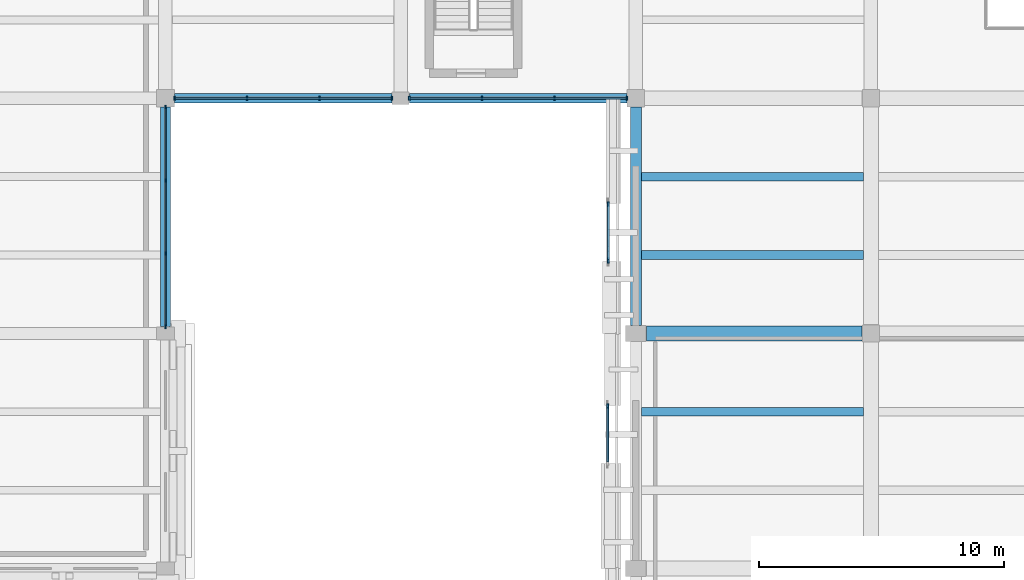
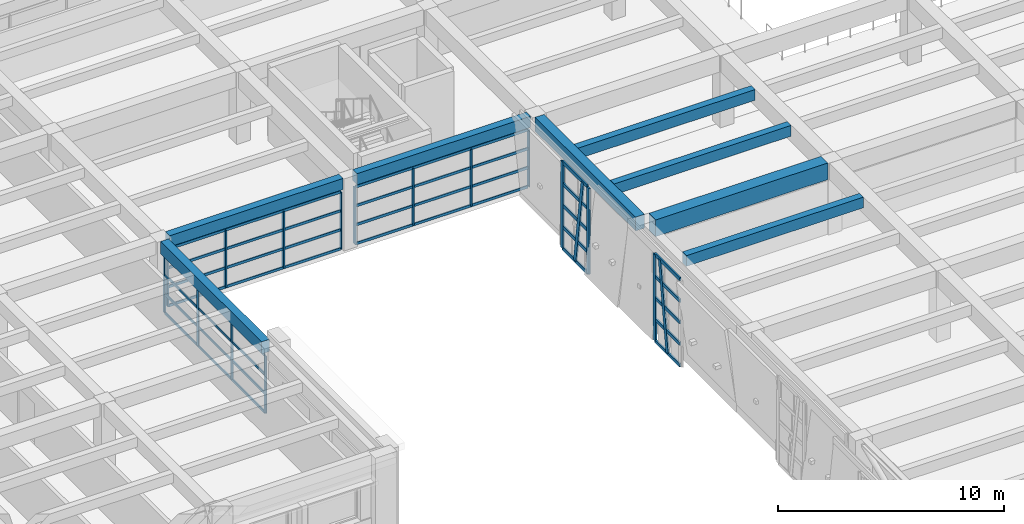
# One storey, part 7 of 62: 39 members, 8 beams, 5 elements without a shape of their own.
"""IFC4 building model written with IfcOpenShell, lengths in metres."""

import ifcopenshell
import ifcopenshell.guid

model = None  # the IFC model being written
_history = None  # IfcOwnerHistory: only IFC2X3 demands one
_inside = {}  # id of a spatial element -> (the spatial element, [elements in it])
_under = {}  # id of a project, library or spatial element -> (it, [spatial elements below it])
_declared = {}  # id of a project -> (the project, [libraries it declares])
_typed = {}  # id of a type object -> (the type object, [elements of that type])
_made_of = {}  # id of a material, layer set ... -> (it, [elements and type objects made of it])


def new_model(schema):
    """Start an empty IFC model of exactly this schema.

    Asked for "IFC4X3", IfcOpenShell would pick the latest addendum, in which some entities
    have other attributes; the version numbers below select the first issue.
    IFC2X3 requires an IfcOwnerHistory on every rooted entity: one is made here for all.
    """
    global model, _history
    if schema == "IFC4X3":
        model = ifcopenshell.file(schema_version=(4, 3, 0, 0))
    else:
        model = ifcopenshell.file(schema=schema)
    _inside.clear()
    _under.clear()
    _declared.clear()
    _typed.clear()
    _made_of.clear()
    _history = None
    if model.schema == "IFC2X3":
        org = make("IfcOrganization", Name="unknown")
        user = make(
            "IfcPersonAndOrganization",
            ThePerson=make("IfcPerson", FamilyName="unknown"),
            TheOrganization=org,
        )
        app = make(
            "IfcApplication",
            ApplicationDeveloper=org,
            Version="unknown",
            ApplicationFullName="unknown",
            ApplicationIdentifier="unknown",
        )
        _history = make(
            "IfcOwnerHistory",
            OwningUser=user,
            OwningApplication=app,
            ChangeAction="ADDED",
            CreationDate=0,
        )
    return model


def make(cls, **values):
    """One entity of the class cls with the attributes given. An attribute that is None is left unset."""
    return model.create_entity(
        cls, **{name: value for name, value in values.items() if value is not None}
    )


def rooted(cls, **values):
    """An entity with a GlobalId (a new one), such as an element, a storey or a relation."""
    return make(cls, GlobalId=ifcopenshell.guid.new(), OwnerHistory=_history, **values)


def si_unit(unit_type, name, prefix=None):
    """IfcSIUnit, for example si_unit("LENGTHUNIT", "METRE", prefix="MILLI")."""
    return make("IfcSIUnit", UnitType=unit_type, Prefix=prefix, Name=name)


def assignment(units):
    """IfcUnitAssignment: the units of a project."""
    return None if units is None else make("IfcUnitAssignment", Units=units)


def point(xyz):
    """IfcCartesianPoint."""
    return None if xyz is None else make("IfcCartesianPoint", Coordinates=xyz)


def direction(xyz):
    """IfcDirection."""
    return None if xyz is None else make("IfcDirection", DirectionRatios=xyz)


def frame(location, z_axis=None, x_axis=None):
    """IfcAxis2Placement3D, a coordinate frame: its origin and axes. An axis left out is left unset."""
    return make(
        "IfcAxis2Placement3D",
        Location=point(location),
        Axis=direction(z_axis),
        RefDirection=direction(x_axis),
    )


def frame_2d(location, x_axis=None):
    """IfcAxis2Placement2D, a coordinate frame in the plane: its origin and x axis."""
    return make(
        "IfcAxis2Placement2D", Location=point(location), RefDirection=direction(x_axis)
    )


def origin():
    """The frame at (0, 0, 0) with its axes left unset."""
    return frame((0.0, 0.0, 0.0))


def origin_2d():
    """The frame at (0, 0) in the plane with its x axis left unset."""
    return frame_2d((0.0, 0.0))


def place(relative_to, where):
    """IfcLocalPlacement: puts the frame where relative to a parent placement (None: the world)."""
    return make(
        "IfcLocalPlacement", PlacementRelTo=relative_to, RelativePlacement=where
    )


def context(
    kind, dimensions, precision=None, world=None, true_north=None, identifier=None
):
    """IfcGeometricRepresentationContext, for example the 3D "Model" context."""
    return make(
        "IfcGeometricRepresentationContext",
        ContextIdentifier=identifier,
        ContextType=kind,
        CoordinateSpaceDimension=dimensions,
        Precision=precision,
        WorldCoordinateSystem=world,
        TrueNorth=true_north,
    )


def subcontext(parent, identifier, kind, view, scale=None):
    """IfcGeometricRepresentationSubContext, for example "Body" below "Model"."""
    return make(
        "IfcGeometricRepresentationSubContext",
        ContextIdentifier=identifier,
        ContextType=kind,
        ParentContext=parent,
        TargetScale=scale,
        TargetView=view,
    )


def project(units=None, contexts=None):
    """IfcProject with its units and contexts."""
    return rooted(
        "IfcProject",
        Name="project",
        RepresentationContexts=contexts,
        UnitsInContext=assignment(units),
    )


def spatial(cls, under=None, at=None, **own):
    """A site, building, storey or space (cls), placed at a placement, below another one or the project."""
    s = rooted(cls, ObjectPlacement=at, **own)
    if under is not None:
        _under.setdefault(under.id(), (under, []))[1].append(s)
    return s


def profile(cls, at=None, kind="AREA", **sizes):
    """A parametric profile (cls). Its sizes go by their IFC names, for example OverallWidth=200.0."""
    return make(cls, ProfileType=kind, Position=at, **sizes)


def rectangle(**sizes):
    """IfcRectangleProfileDef."""
    return profile("IfcRectangleProfileDef", **sizes)


def extrude(swept, where, along, depth):
    """IfcExtrudedAreaSolid: the profile swept, set in the frame where, extruded along a direction by depth."""
    return make(
        "IfcExtrudedAreaSolid",
        SweptArea=swept,
        Position=where,
        ExtrudedDirection=direction(along),
        Depth=depth,
    )


def shape(context_of_items, identifier, shape_type, items):
    """IfcShapeRepresentation: the items that make up one representation, for example the "Body"."""
    return make(
        "IfcShapeRepresentation",
        ContextOfItems=context_of_items,
        RepresentationIdentifier=identifier,
        RepresentationType=shape_type,
        Items=items,
    )


def material(Name=None, Category=None):
    """IfcMaterial."""
    return make("IfcMaterial", Name=Name, Category=Category)


def layer(
    of_material, thickness, ventilated=None, Name=None, Category=None, Priority=None
):
    """IfcMaterialLayer: one layer of a wall or slab, of a material (None: an air gap)."""
    return make(
        "IfcMaterialLayer",
        Material=of_material,
        LayerThickness=thickness,
        IsVentilated=ventilated,
        Name=Name,
        Category=Category,
        Priority=Priority,
    )


def layer_set(layers, Name=None):
    """IfcMaterialLayerSet."""
    return make("IfcMaterialLayerSet", MaterialLayers=layers, LayerSetName=Name)


def material_profile(
    of_material, cross_section, Name=None, Category=None, Priority=None
):
    """IfcMaterialProfile: a cross section and its material."""
    return make(
        "IfcMaterialProfile",
        Name=Name,
        Material=of_material,
        Profile=cross_section,
        Priority=Priority,
        Category=Category,
    )


def profile_set(profiles, Name=None, composite=None):
    """IfcMaterialProfileSet."""
    return make(
        "IfcMaterialProfileSet",
        Name=Name,
        MaterialProfiles=profiles,
        CompositeProfile=composite,
    )


def made_of(thing, what):
    """Note that an element or type object is made of a material, layer set ...; save() writes the relation."""
    if what is not None:
        _made_of.setdefault(what.id(), (what, []))[1].append(thing)
    return thing


def type_object(cls, material=None, **own):
    """A type object (cls), such as IfcWallType, which elements share."""
    return made_of(rooted(cls, **own), material)


def element(
    cls,
    number,
    at=None,
    inside=None,
    cuts=None,
    type_object=None,
    material=None,
    context=None,
    identifier="Body",
    shape_type=None,
    held_by="IfcProductDefinitionShape",
    body=None,
    shapes=None,
    **own,
):
    """One element of the class cls, such as IfcWall. Its Tag is "e" and its number.

    at: its placement. inside: the storey or other place that contains it. cuts: it is an
    opening in that element (IfcRelVoidsElement). A single representation is given by context,
    identifier, shape_type and body (its items); several are given by shapes. held_by: the class
    of the entity that holds the representations. save() writes the other relations.
    """
    e = rooted(cls, Tag="e%d" % number, ObjectPlacement=at, **own)
    if body is not None:
        shapes = [shape(context, identifier, shape_type, body)]
    if shapes is not None:
        e.Representation = make(held_by, Representations=shapes)
    if inside is not None:
        _inside.setdefault(inside.id(), (inside, []))[1].append(e)
    if cuts is not None:
        rooted(
            "IfcRelVoidsElement", RelatingBuildingElement=cuts, RelatedOpeningElement=e
        )
    if type_object is not None:
        _typed.setdefault(type_object.id(), (type_object, []))[1].append(e)
    return made_of(e, material)


def aggregate(whole, parts):
    """IfcRelAggregates: a whole, such as a stair, and the parts it consists of."""
    return rooted("IfcRelAggregates", RelatingObject=whole, RelatedObjects=parts)


def save(model, path):
    """Write the relations noted so far, then the file.

    IfcRelAggregates (storeys below a building ...), IfcRelContainedInSpatialStructure (elements
    in a storey), IfcRelDefinesByType, IfcRelAssociatesMaterial and IfcRelDeclares: one each for
    every whole, place, type object, material and project.
    """
    for whole, parts in _under.values():
        aggregate(whole, parts)
    for where, things in _inside.values():
        rooted(
            "IfcRelContainedInSpatialStructure",
            RelatedElements=things,
            RelatingStructure=where,
        )
    for kind, things in _typed.values():
        rooted("IfcRelDefinesByType", RelatedObjects=things, RelatingType=kind)
    for what, things in _made_of.values():
        rooted("IfcRelAssociatesMaterial", RelatedObjects=things, RelatingMaterial=what)
    for by, libraries in _declared.values():
        rooted("IfcRelDeclares", RelatingContext=by, RelatedDefinitions=libraries)
    model.write(path)


model = new_model("IFC4")

# Units and contexts
model_context = context("Model", 3, precision=1e-05, world=origin(), true_north=direction((0.0, 1.0)))
body_context = subcontext(model_context, "Body", "Model", "MODEL_VIEW")
ifc_project = project(units=[si_unit("LENGTHUNIT", "METRE"), si_unit("AREAUNIT", "SQUARE_METRE"), si_unit("VOLUMEUNIT", "CUBIC_METRE"), si_unit("PLANEANGLEUNIT", "RADIAN"), si_unit("MASSUNIT", "GRAM", prefix="KILO")], contexts=[model_context])

# Site, building, storey
site_placement = place(None, origin())
site = spatial("IfcSite", under=ifc_project, at=site_placement, CompositionType="ELEMENT")
building_placement = place(site_placement, origin())
building = spatial("IfcBuilding", under=site, at=building_placement, Name="Bempovik Park Faculty of Sciences", CompositionType="ELEMENT")
storey_placement = place(building_placement, frame((0.0, 0.0, 9.89990234375)))
storey = spatial("IfcBuildingStorey", under=building, at=storey_placement, Name="L02", CompositionType="ELEMENT", Elevation=9.89990234375)

# Beams
ifc_material_1 = material(Name="Concrete C35/45", Category="concrete")
ifc_material_profile_1 = material_profile(ifc_material_1, rectangle(XDim=0.3798828125, YDim=0.60009765625, at=origin_2d()), Name="RC 380x600")
ifc_profile_set_1 = profile_set([ifc_material_profile_1], Name="Concrete C35/45")
beam_type_1 = type_object("IfcBeamType", Name="B-032 RC 380x600", PredefinedType="SPANDREL", material=ifc_profile_set_1)
beam_1_placement = place(storey_placement, frame((41.166015625, 67.800048828125, 3.60009765625), z_axis=(1.0, 0.0, 0.0), x_axis=(0.0, 1.0, 0.0)))
element("IfcBeam", 1, at=beam_1_placement, inside=storey, type_object=beam_type_1, Name="L02 Beam X (40.8-50.4, y=67.8)", PredefinedType="SPANDREL", context=body_context, shape_type="SweptSolid", body=[
    extrude(rectangle(XDim=0.3798828125, YDim=0.60009765625, at=origin_2d()), origin(), (0.0, 0.0, 1.0), 8.8779296875),
])
beam_2_placement = place(storey_placement, frame((50.756103515625, 67.800048828125, 3.60009765625), z_axis=(1.0, 0.0, 0.0), x_axis=(0.0, 1.0, 0.0)))
element("IfcBeam", 2, at=beam_2_placement, inside=storey, type_object=beam_type_1, Name="L02 Beam X (50.4-60.0, y=67.8)", PredefinedType="SPANDREL", context=body_context, shape_type="SweptSolid", body=[
    extrude(rectangle(XDim=0.3798828125, YDim=0.60009765625, at=origin_2d()), origin(), (0.0, 0.0, 1.0), 8.887939453125),
])
ifc_material_profile_2 = material_profile(ifc_material_1, rectangle(XDim=0.39990234375, YDim=0.659912109375, at=origin_2d()), Name="RC 400x660")
ifc_profile_set_2 = profile_set([ifc_material_profile_2], Name="Concrete C35/45")
beam_type_2 = type_object("IfcBeamType", Name="B-097 RC 400x660", PredefinedType="SPANDREL", material=ifc_profile_set_2)
beam_3_placement = place(storey_placement, frame((40.800048828125, 58.47607421875, 3.570068359375), z_axis=(0.0, 1.0, 0.0), x_axis=(-1.0, 0.0, 0.0)))
element("IfcBeam", 3, at=beam_3_placement, inside=storey, type_object=beam_type_2, Name="L02 Beam Y (x=40.8, 58.2-67.8)", PredefinedType="SPANDREL", context=body_context, shape_type="SweptSolid", body=[
    extrude(rectangle(XDim=0.39990234375, YDim=0.659912109375, at=origin_2d()), origin(), (0.0, 0.0, 1.0), 8.9580078125),
])
ifc_material_profile_3 = material_profile(ifc_material_1, rectangle(XDim=0.35009765625, YDim=0.580078125, at=origin_2d()), Name="RC 350x580")
ifc_profile_set_3 = profile_set([ifc_material_profile_3], Name="Concrete C35/45")
beam_type_3 = type_object("IfcBeamType", Name="B-107 RC 350x580", PredefinedType="JOIST", material=ifc_profile_set_3)
for number, where, z_axis, x_axis, name in (
    (4, (60.23095703125, 55.0, 3.610107421875), (1.0, 0.0, 0.0), (0.0, 1.0, 0.0), "L02 Secondary Joist (60.0-69.6, y=55.00)"),
    (5, (60.23095703125, 61.39990234375, 3.610107421875), (1.0, 0.0, 0.0), (0.0, 1.0, 0.0), "L02 Secondary Joist (60.0-69.6, y=61.40)"),
    (6, (60.23095703125, 64.60009765625, 3.610107421875), (1.0, 0.0, 0.0), (0.0, 1.0, 0.0), "L02 Secondary Joist (60.0-69.6, y=64.60)"),
):
    element("IfcBeam", number, at=place(storey_placement, frame(where, z_axis=z_axis, x_axis=x_axis)), inside=storey, type_object=beam_type_3, Name=name, PredefinedType="JOIST", context=body_context, shape_type="SweptSolid", body=[
        extrude(rectangle(XDim=0.35009765625, YDim=0.580078125, at=origin_2d()), origin(), (0.0, 0.0, 1.0), 9.06298828125),
    ])
ifc_material_2 = material(Name="Concrete C40/50", Category="concrete")
ifc_material_profile_4 = material_profile(ifc_material_2, rectangle(XDim=0.60009765625, YDim=0.89990234375, at=origin_2d()), Name="RC 600x900")
ifc_profile_set_4 = profile_set([ifc_material_profile_4], Name="Concrete C40/50")
beam_type_4 = type_object("IfcBeamType", Name="B-115 RC 600x900", PredefinedType="BEAM", material=ifc_profile_set_4)
beam_4_placement = place(storey_placement, frame((60.430908203125, 58.199951171875, 3.4501953125), z_axis=(1.0, 0.0, 0.0), x_axis=(0.0, 1.0, 0.0)))
element("IfcBeam", 7, at=beam_4_placement, inside=storey, type_object=beam_type_4, Name="L02 Beam X (60.0-69.6, y=58.2)", PredefinedType="BEAM", context=body_context, shape_type="SweptSolid", body=[
    extrude(rectangle(XDim=0.60009765625, YDim=0.89990234375, at=origin_2d()), origin(), (0.0, 0.0, 1.0), 8.81298828125),
])
ifc_material_profile_5 = material_profile(ifc_material_2, rectangle(XDim=0.449951171875, YDim=0.75, at=origin_2d()), Name="RC 450x750")
ifc_profile_set_5 = profile_set([ifc_material_profile_5], Name="Concrete C40/50")
beam_type_5 = type_object("IfcBeamType", Name="B-130 RC 450x750", PredefinedType="SPANDREL", material=ifc_profile_set_5)
beam_5_placement = place(storey_placement, frame((60.0, 58.531005859375, 3.525146484375), z_axis=(0.0, 1.0, 0.0), x_axis=(-1.0, 0.0, 0.0)))
element("IfcBeam", 8, at=beam_5_placement, inside=storey, type_object=beam_type_5, Name="L02 Beam Y (x=60.0, 58.2-67.8)", PredefinedType="SPANDREL", context=body_context, shape_type="SweptSolid", body=[
    extrude(rectangle(XDim=0.449951171875, YDim=0.75, at=origin_2d()), origin(), (0.0, 0.0, 1.0), 8.9130859375),
])

# Curtain wall, members
ifc_material_3 = material(Name="Tempered laminated low-E glass", Category="glass")
ifc_layer_1 = layer(ifc_material_3, 0.159912109375)
ifc_layer_set_1 = layer_set([ifc_layer_1], Name="Tempered laminated low-E glass")
curtain_wall_type_1 = type_object("IfcCurtainWallType", Name="CW-41 Curtain 6600x3800", PredefinedType="USERDEFINED", material=ifc_layer_set_1)
curtain_wall_1_placement = place(storey_placement, origin())
curtain_wall_1 = element("IfcCurtainWall", 9, at=curtain_wall_1_placement, inside=storey, type_object=curtain_wall_type_1, Name="L02 Unitised Curtain Wall (67.8,40.8)", ObjectType="UNITISED CURTAIN WALL", PredefinedType="USERDEFINED")
ifc_material_4 = material(Name="Anodised architectural bronze", Category="aluminium")
ifc_material_profile_6 = material_profile(ifc_material_4, rectangle(XDim=0.06494140625, YDim=0.169921875, at=origin_2d()), Name="ALU-M 65x170")
ifc_profile_set_6 = profile_set([ifc_material_profile_6], Name="Anodised architectural bronze")
member_type_1 = type_object("IfcMemberType", Name="ML-15 ALU-M 65x170", PredefinedType="MULLION", material=ifc_profile_set_6)
member_1_placement = place(storey_placement, frame((41.162109375, 67.800048828125, 0.0), z_axis=(0.0, 0.0, 1.0), x_axis=(1.0, 0.0, 0.0)))
member_1 = element("IfcMember", 10, at=member_1_placement, type_object=member_type_1, Name="CW-BAY-L02-678-408 Mullion 0", PredefinedType="MULLION", context=body_context, shape_type="SweptSolid", body=[
    extrude(rectangle(XDim=0.06494140625, YDim=0.169921875, at=origin_2d()), origin(), (0.0, 0.0, 1.0), 3.080078125),
])
member_2_placement = place(storey_placement, frame((44.1240234375, 67.800048828125, 0.0), z_axis=(0.0, 0.0, 1.0), x_axis=(1.0, 0.0, 0.0)))
member_2 = element("IfcMember", 11, at=member_2_placement, type_object=member_type_1, Name="CW-BAY-L02-678-408 Mullion 1", PredefinedType="MULLION", context=body_context, shape_type="SweptSolid", body=[
    extrude(rectangle(XDim=0.06494140625, YDim=0.169921875, at=origin_2d()), origin(), (0.0, 0.0, 1.0), 3.080078125),
])
member_3_placement = place(storey_placement, frame((47.0859375, 67.800048828125, 0.0), z_axis=(0.0, 0.0, 1.0), x_axis=(1.0, 0.0, 0.0)))
member_3 = element("IfcMember", 12, at=member_3_placement, type_object=member_type_1, Name="CW-BAY-L02-678-408 Mullion 2", PredefinedType="MULLION", context=body_context, shape_type="SweptSolid", body=[
    extrude(rectangle(XDim=0.06494140625, YDim=0.169921875, at=origin_2d()), origin(), (0.0, 0.0, 1.0), 3.080078125),
])
member_4_placement = place(storey_placement, frame((50.048095703125, 67.800048828125, 0.0), z_axis=(0.0, 0.0, 1.0), x_axis=(1.0, 0.0, 0.0)))
member_4 = element("IfcMember", 13, at=member_4_placement, type_object=member_type_1, Name="CW-BAY-L02-678-408 Mullion 3", PredefinedType="MULLION", context=body_context, shape_type="SweptSolid", body=[
    extrude(rectangle(XDim=0.06494140625, YDim=0.169921875, at=origin_2d()), origin(), (0.0, 0.0, 1.0), 3.080078125),
])

curtain_wall_2_placement = place(storey_placement, origin())
curtain_wall_2 = element("IfcCurtainWall", 14, at=curtain_wall_2_placement, inside=storey, type_object=curtain_wall_type_1, Name="L02 Unitised Curtain Wall (67.8,50.4)", ObjectType="UNITISED CURTAIN WALL", PredefinedType="USERDEFINED")
member_5_placement = place(storey_placement, frame((50.751953125, 67.800048828125, 0.0), z_axis=(0.0, 0.0, 1.0), x_axis=(1.0, 0.0, 0.0)))
member_5 = element("IfcMember", 15, at=member_5_placement, type_object=member_type_1, Name="CW-BAY-L02-678-504 Mullion 0", PredefinedType="MULLION", context=body_context, shape_type="SweptSolid", body=[
    extrude(rectangle(XDim=0.06494140625, YDim=0.169921875, at=origin_2d()), origin(), (0.0, 0.0, 1.0), 3.080078125),
])
member_6_placement = place(storey_placement, frame((53.71728515625, 67.800048828125, 0.0), z_axis=(0.0, 0.0, 1.0), x_axis=(1.0, 0.0, 0.0)))
member_6 = element("IfcMember", 16, at=member_6_placement, type_object=member_type_1, Name="CW-BAY-L02-678-504 Mullion 1", PredefinedType="MULLION", context=body_context, shape_type="SweptSolid", body=[
    extrude(rectangle(XDim=0.06494140625, YDim=0.169921875, at=origin_2d()), origin(), (0.0, 0.0, 1.0), 3.080078125),
])
member_7_placement = place(storey_placement, frame((56.6826171875, 67.800048828125, 0.0), z_axis=(0.0, 0.0, 1.0), x_axis=(1.0, 0.0, 0.0)))
member_7 = element("IfcMember", 17, at=member_7_placement, type_object=member_type_1, Name="CW-BAY-L02-678-504 Mullion 2", PredefinedType="MULLION", context=body_context, shape_type="SweptSolid", body=[
    extrude(rectangle(XDim=0.06494140625, YDim=0.169921875, at=origin_2d()), origin(), (0.0, 0.0, 1.0), 3.080078125),
])
member_8_placement = place(storey_placement, frame((59.64794921875, 67.800048828125, 0.0), z_axis=(0.0, 0.0, 1.0), x_axis=(1.0, 0.0, 0.0)))
member_8 = element("IfcMember", 18, at=member_8_placement, type_object=member_type_1, Name="CW-BAY-L02-678-504 Mullion 3", PredefinedType="MULLION", context=body_context, shape_type="SweptSolid", body=[
    extrude(rectangle(XDim=0.06494140625, YDim=0.169921875, at=origin_2d()), origin(), (0.0, 0.0, 1.0), 3.080078125),
])

ifc_layer_2 = layer(ifc_material_3, 0.159912109375)
ifc_layer_set_2 = layer_set([ifc_layer_2], Name="Tempered laminated low-E glass")
curtain_wall_type_2 = type_object("IfcCurtainWallType", Name="CW-42 Curtain 6400x3700", PredefinedType="USERDEFINED", material=ifc_layer_set_2)
curtain_wall_3_placement = place(storey_placement, origin())
curtain_wall_3 = element("IfcCurtainWall", 19, at=curtain_wall_3_placement, inside=storey, type_object=curtain_wall_type_2, Name="L02 Unitised Curtain Wall (40.8,58.2)", ObjectType="UNITISED CURTAIN WALL", PredefinedType="USERDEFINED")
ifc_material_5 = material(Name="Anodised aluminium", Category="aluminium")
ifc_material_profile_7 = material_profile(ifc_material_5, rectangle(XDim=0.06005859375, YDim=0.14501953125, at=origin_2d()), Name="ALU-M 60x145")
ifc_profile_set_7 = profile_set([ifc_material_profile_7], Name="Anodised aluminium")
member_type_2 = type_object("IfcMemberType", Name="ML-22 ALU-M 60x145", PredefinedType="MULLION", material=ifc_profile_set_7)
member_9_placement = place(storey_placement, frame((40.800048828125, 58.471923828125, 0.0), z_axis=(0.0, 0.0, 1.0), x_axis=(1.0, 0.0, 0.0)))
member_9 = element("IfcMember", 20, at=member_9_placement, type_object=member_type_2, Name="CW-BAY-L02-408-582 Mullion 0", PredefinedType="MULLION", context=body_context, shape_type="SweptSolid", body=[
    extrude(rectangle(XDim=0.06005859375, YDim=0.14501953125, at=origin_2d()), origin(), (0.0, 0.0, 1.0), 3.080078125),
])
member_10_placement = place(storey_placement, frame((40.800048828125, 61.460693359375, 0.0), z_axis=(0.0, 0.0, 1.0), x_axis=(1.0, 0.0, 0.0)))
member_10 = element("IfcMember", 21, at=member_10_placement, type_object=member_type_2, Name="CW-BAY-L02-408-582 Mullion 1", PredefinedType="MULLION", context=body_context, shape_type="SweptSolid", body=[
    extrude(rectangle(XDim=0.06005859375, YDim=0.14501953125, at=origin_2d()), origin(), (0.0, 0.0, 1.0), 3.080078125),
])
member_11_placement = place(storey_placement, frame((40.800048828125, 64.44921875, 0.0), z_axis=(0.0, 0.0, 1.0), x_axis=(1.0, 0.0, 0.0)))
member_11 = element("IfcMember", 22, at=member_11_placement, type_object=member_type_2, Name="CW-BAY-L02-408-582 Mullion 2", PredefinedType="MULLION", context=body_context, shape_type="SweptSolid", body=[
    extrude(rectangle(XDim=0.06005859375, YDim=0.14501953125, at=origin_2d()), origin(), (0.0, 0.0, 1.0), 3.080078125),
])
member_12_placement = place(storey_placement, frame((40.800048828125, 67.43798828125, 0.0), z_axis=(0.0, 0.0, 1.0), x_axis=(1.0, 0.0, 0.0)))
member_12 = element("IfcMember", 23, at=member_12_placement, type_object=member_type_2, Name="CW-BAY-L02-408-582 Mullion 3", PredefinedType="MULLION", context=body_context, shape_type="SweptSolid", body=[
    extrude(rectangle(XDim=0.06005859375, YDim=0.14501953125, at=origin_2d()), origin(), (0.0, 0.0, 1.0), 3.080078125),
])

ifc_layer_3 = layer(ifc_material_3, 0.159912109375)
ifc_layer_set_3 = layer_set([ifc_layer_3], Name="Tempered laminated low-E glass")
curtain_wall_type_3 = type_object("IfcCurtainWallType", Name="CW-61 Curtain 2400x4200", PredefinedType="USERDEFINED", material=ifc_layer_set_3)
curtain_wall_4_placement = place(storey_placement, origin())
curtain_wall_4 = element("IfcCurtainWall", 24, at=curtain_wall_4_placement, inside=storey, type_object=curtain_wall_type_3, Name="L02 Crystal Slantwise Light Fold (60.0,48.6)", ObjectType="UNITISED CURTAIN WALL", PredefinedType="USERDEFINED")
ifc_material_profile_8 = material_profile(ifc_material_4, rectangle(XDim=0.080078125, YDim=0.219970703125, at=origin_2d()), Name="ALU-M 80x220")
ifc_profile_set_8 = profile_set([ifc_material_profile_8], Name="Anodised architectural bronze")
member_type_3 = type_object("IfcMemberType", Name="ML-29 ALU-M 80x220", PredefinedType="MULLION", material=ifc_profile_set_8)
member_13_placement = place(storey_placement, frame((58.84765625, 54.074951171875, -0.419921875), z_axis=(0.0, 0.144381979777, 0.989522028009), x_axis=(-1.0, 0.0, 0.0)))
member_13 = element("IfcMember", 25, at=member_13_placement, type_object=member_type_3, Name="CW-FOLD-L02-600-486 Mullion 1", PredefinedType="MULLION", context=body_context, shape_type="SweptSolid", body=[
    extrude(rectangle(XDim=0.080078125, YDim=0.219970703125, at=origin_2d()), origin(), (0.0, 0.0, 1.0), 4.709228515625),
])
member_14_placement = place(storey_placement, frame((58.84765625, 55.22509765625, -0.419921875), z_axis=(0.0, 0.0, 1.0), x_axis=(1.0, 0.0, 0.0)))
member_14 = element("IfcMember", 26, at=member_14_placement, type_object=member_type_3, Name="CW-FOLD-L02-600-486 Mullion 2", PredefinedType="MULLION", context=body_context, shape_type="SweptSolid", body=[
    extrude(rectangle(XDim=0.080078125, YDim=0.219970703125, at=origin_2d()), origin(), (0.0, 0.0, 1.0), 4.659912109375),
])

curtain_wall_5_placement = place(storey_placement, origin())
curtain_wall_5 = element("IfcCurtainWall", 27, at=curtain_wall_5_placement, inside=storey, type_object=curtain_wall_type_3, Name="L02 Crystal Slantwise Light Fold (60.0,58.2)", ObjectType="UNITISED CURTAIN WALL", PredefinedType="USERDEFINED")
member_15_placement = place(storey_placement, frame((58.8798828125, 61.175048828125, -0.419921875), z_axis=(0.0, 0.0, 1.0), x_axis=(1.0, 0.0, 0.0)))
member_15 = element("IfcMember", 28, at=member_15_placement, type_object=member_type_3, Name="CW-FOLD-L02-600-582 Mullion 0", PredefinedType="MULLION", context=body_context, shape_type="SweptSolid", body=[
    extrude(rectangle(XDim=0.080078125, YDim=0.219970703125, at=origin_2d()), origin(), (0.0, 0.0, 1.0), 4.659912109375),
])
member_16_placement = place(storey_placement, frame((58.8798828125, 62.324951171875, -0.419921875), z_axis=(0.0, -0.144381979777, 0.989522028009), x_axis=(1.0, 0.0, 0.0)))
member_16 = element("IfcMember", 29, at=member_16_placement, type_object=member_type_3, Name="CW-FOLD-L02-600-582 Mullion 1", PredefinedType="MULLION", context=body_context, shape_type="SweptSolid", body=[
    extrude(rectangle(XDim=0.080078125, YDim=0.219970703125, at=origin_2d()), origin(), (0.0, 0.0, 1.0), 4.709228515625),
])
member_17_placement = place(storey_placement, frame((58.8798828125, 63.47509765625, -0.419921875), z_axis=(0.0, 0.0, 1.0), x_axis=(1.0, 0.0, 0.0)))
member_17 = element("IfcMember", 30, at=member_17_placement, type_object=member_type_3, Name="CW-FOLD-L02-600-582 Mullion 2", PredefinedType="MULLION", context=body_context, shape_type="SweptSolid", body=[
    extrude(rectangle(XDim=0.080078125, YDim=0.219970703125, at=origin_2d()), origin(), (0.0, 0.0, 1.0), 4.659912109375),
])

# Member
ifc_material_profile_9 = material_profile(ifc_material_4, rectangle(XDim=0.06494140625, YDim=0.139892578125, at=origin_2d()), Name="ALU-T 65x140")
ifc_profile_set_9 = profile_set([ifc_material_profile_9], Name="Anodised architectural bronze")
member_type_4 = type_object("IfcMemberType", Name="TR-17 ALU-T 65x140", PredefinedType="USERDEFINED", material=ifc_profile_set_9)
member_18_placement = place(storey_placement, frame((41.201904296875, 67.800048828125, 0.0), z_axis=(1.0, 0.0, 0.0), x_axis=(0.0, 1.0, 0.0)))
member_18 = element("IfcMember", 31, at=member_18_placement, type_object=member_type_4, Name="CW-BAY-L02-678-408 Transom 0", ObjectType="TRANSOM", PredefinedType="USERDEFINED", context=body_context, shape_type="SweptSolid", body=[
    extrude(rectangle(XDim=0.06494140625, YDim=0.139892578125, at=origin_2d()), origin(), (0.0, 0.0, 1.0), 8.80615234375),
])

member_19_placement = place(storey_placement, frame((41.201904296875, 67.800048828125, 1.02685546875), z_axis=(1.0, 0.0, 0.0), x_axis=(0.0, 1.0, 0.0)))
member_19 = element("IfcMember", 32, at=member_19_placement, type_object=member_type_4, Name="CW-BAY-L02-678-408 Transom 1", ObjectType="TRANSOM", PredefinedType="USERDEFINED", context=body_context, shape_type="SweptSolid", body=[
    extrude(rectangle(XDim=0.06494140625, YDim=0.139892578125, at=origin_2d()), origin(), (0.0, 0.0, 1.0), 8.80615234375),
])

member_20_placement = place(storey_placement, frame((41.201904296875, 67.800048828125, 2.053466796875), z_axis=(1.0, 0.0, 0.0), x_axis=(0.0, 1.0, 0.0)))
member_20 = element("IfcMember", 33, at=member_20_placement, type_object=member_type_4, Name="CW-BAY-L02-678-408 Transom 2", ObjectType="TRANSOM", PredefinedType="USERDEFINED", context=body_context, shape_type="SweptSolid", body=[
    extrude(rectangle(XDim=0.06494140625, YDim=0.139892578125, at=origin_2d()), origin(), (0.0, 0.0, 1.0), 8.80615234375),
])

member_21_placement = place(storey_placement, frame((41.201904296875, 67.800048828125, 3.080078125), z_axis=(1.0, 0.0, 0.0), x_axis=(0.0, 1.0, 0.0)))
member_21 = element("IfcMember", 34, at=member_21_placement, type_object=member_type_4, Name="CW-BAY-L02-678-408 Transom 3", ObjectType="TRANSOM", PredefinedType="USERDEFINED", context=body_context, shape_type="SweptSolid", body=[
    extrude(rectangle(XDim=0.06494140625, YDim=0.139892578125, at=origin_2d()), origin(), (0.0, 0.0, 1.0), 8.80615234375),
])

aggregate(curtain_wall_1, [member_1, member_2, member_3, member_4, member_18, member_19, member_20, member_21])

member_22_placement = place(storey_placement, frame((50.7919921875, 67.800048828125, 0.0), z_axis=(1.0, 0.0, 0.0), x_axis=(0.0, 1.0, 0.0)))
member_22 = element("IfcMember", 35, at=member_22_placement, type_object=member_type_4, Name="CW-BAY-L02-678-504 Transom 0", ObjectType="TRANSOM", PredefinedType="USERDEFINED", context=body_context, shape_type="SweptSolid", body=[
    extrude(rectangle(XDim=0.06494140625, YDim=0.139892578125, at=origin_2d()), origin(), (0.0, 0.0, 1.0), 8.81591796875),
])

member_23_placement = place(storey_placement, frame((50.7919921875, 67.800048828125, 1.02685546875), z_axis=(1.0, 0.0, 0.0), x_axis=(0.0, 1.0, 0.0)))
member_23 = element("IfcMember", 36, at=member_23_placement, type_object=member_type_4, Name="CW-BAY-L02-678-504 Transom 1", ObjectType="TRANSOM", PredefinedType="USERDEFINED", context=body_context, shape_type="SweptSolid", body=[
    extrude(rectangle(XDim=0.06494140625, YDim=0.139892578125, at=origin_2d()), origin(), (0.0, 0.0, 1.0), 8.81591796875),
])

member_24_placement = place(storey_placement, frame((50.7919921875, 67.800048828125, 2.053466796875), z_axis=(1.0, 0.0, 0.0), x_axis=(0.0, 1.0, 0.0)))
member_24 = element("IfcMember", 37, at=member_24_placement, type_object=member_type_4, Name="CW-BAY-L02-678-504 Transom 2", ObjectType="TRANSOM", PredefinedType="USERDEFINED", context=body_context, shape_type="SweptSolid", body=[
    extrude(rectangle(XDim=0.06494140625, YDim=0.139892578125, at=origin_2d()), origin(), (0.0, 0.0, 1.0), 8.81591796875),
])

member_25_placement = place(storey_placement, frame((50.7919921875, 67.800048828125, 3.080078125), z_axis=(1.0, 0.0, 0.0), x_axis=(0.0, 1.0, 0.0)))
member_25 = element("IfcMember", 38, at=member_25_placement, type_object=member_type_4, Name="CW-BAY-L02-678-504 Transom 3", ObjectType="TRANSOM", PredefinedType="USERDEFINED", context=body_context, shape_type="SweptSolid", body=[
    extrude(rectangle(XDim=0.06494140625, YDim=0.139892578125, at=origin_2d()), origin(), (0.0, 0.0, 1.0), 8.81591796875),
])

aggregate(curtain_wall_2, [member_5, member_6, member_7, member_8, member_22, member_23, member_24, member_25])

ifc_material_profile_10 = material_profile(ifc_material_4, rectangle(XDim=0.080078125, YDim=0.179931640625, at=origin_2d()), Name="ALU-T 80x180")
ifc_profile_set_10 = profile_set([ifc_material_profile_10], Name="Anodised architectural bronze")
member_type_5 = type_object("IfcMemberType", Name="TR-29 ALU-T 80x180", PredefinedType="USERDEFINED", material=ifc_profile_set_10)
member_26_placement = place(storey_placement, frame((58.84765625, 52.965087890625, -0.419921875), z_axis=(0.0, 1.0, 0.0), x_axis=(-1.0, 0.0, 0.0)))
member_26 = element("IfcMember", 39, at=member_26_placement, type_object=member_type_5, Name="CW-FOLD-L02-600-486 Transom 0", ObjectType="TRANSOM", PredefinedType="USERDEFINED", context=body_context, shape_type="SweptSolid", body=[
    extrude(rectangle(XDim=0.080078125, YDim=0.179931640625, at=origin_2d()), origin(), (0.0, 0.0, 1.0), 2.219970703125),
])

member_27_placement = place(storey_placement, frame((58.84765625, 52.965087890625, 0.7451171875), z_axis=(0.0, 1.0, 0.0), x_axis=(-1.0, 0.0, 0.0)))
member_27 = element("IfcMember", 40, at=member_27_placement, type_object=member_type_5, Name="CW-FOLD-L02-600-486 Transom 1", ObjectType="TRANSOM", PredefinedType="USERDEFINED", context=body_context, shape_type="SweptSolid", body=[
    extrude(rectangle(XDim=0.080078125, YDim=0.179931640625, at=origin_2d()), origin(), (0.0, 0.0, 1.0), 2.219970703125),
])

member_28_placement = place(storey_placement, frame((58.84765625, 52.965087890625, 1.91015625), z_axis=(0.0, 1.0, 0.0), x_axis=(-1.0, 0.0, 0.0)))
member_28 = element("IfcMember", 41, at=member_28_placement, type_object=member_type_5, Name="CW-FOLD-L02-600-486 Transom 2", ObjectType="TRANSOM", PredefinedType="USERDEFINED", context=body_context, shape_type="SweptSolid", body=[
    extrude(rectangle(XDim=0.080078125, YDim=0.179931640625, at=origin_2d()), origin(), (0.0, 0.0, 1.0), 2.219970703125),
])

member_29_placement = place(storey_placement, frame((58.84765625, 52.965087890625, 3.0751953125), z_axis=(0.0, 1.0, 0.0), x_axis=(-1.0, 0.0, 0.0)))
member_29 = element("IfcMember", 42, at=member_29_placement, type_object=member_type_5, Name="CW-FOLD-L02-600-486 Transom 3", ObjectType="TRANSOM", PredefinedType="USERDEFINED", context=body_context, shape_type="SweptSolid", body=[
    extrude(rectangle(XDim=0.080078125, YDim=0.179931640625, at=origin_2d()), origin(), (0.0, 0.0, 1.0), 2.219970703125),
])

member_30_placement = place(storey_placement, frame((58.84765625, 52.965087890625, 4.239990234375), z_axis=(0.0, 1.0, 0.0), x_axis=(-1.0, 0.0, 0.0)))
member_30 = element("IfcMember", 43, at=member_30_placement, type_object=member_type_5, Name="CW-FOLD-L02-600-486 Transom 4", ObjectType="TRANSOM", PredefinedType="USERDEFINED", context=body_context, shape_type="SweptSolid", body=[
    extrude(rectangle(XDim=0.080078125, YDim=0.179931640625, at=origin_2d()), origin(), (0.0, 0.0, 1.0), 2.219970703125),
])

aggregate(curtain_wall_4, [member_13, member_14, member_26, member_27, member_28, member_29, member_30])

member_31_placement = place(storey_placement, frame((58.8798828125, 61.215087890625, -0.419921875), z_axis=(0.0, 1.0, 0.0), x_axis=(-1.0, 0.0, 0.0)))
member_31 = element("IfcMember", 44, at=member_31_placement, type_object=member_type_5, Name="CW-FOLD-L02-600-582 Transom 0", ObjectType="TRANSOM", PredefinedType="USERDEFINED", context=body_context, shape_type="SweptSolid", body=[
    extrude(rectangle(XDim=0.080078125, YDim=0.179931640625, at=origin_2d()), origin(), (0.0, 0.0, 1.0), 2.219970703125),
])

member_32_placement = place(storey_placement, frame((58.8798828125, 61.215087890625, 0.7451171875), z_axis=(0.0, 1.0, 0.0), x_axis=(-1.0, 0.0, 0.0)))
member_32 = element("IfcMember", 45, at=member_32_placement, type_object=member_type_5, Name="CW-FOLD-L02-600-582 Transom 1", ObjectType="TRANSOM", PredefinedType="USERDEFINED", context=body_context, shape_type="SweptSolid", body=[
    extrude(rectangle(XDim=0.080078125, YDim=0.179931640625, at=origin_2d()), origin(), (0.0, 0.0, 1.0), 2.219970703125),
])

member_33_placement = place(storey_placement, frame((58.8798828125, 61.215087890625, 1.91015625), z_axis=(0.0, 1.0, 0.0), x_axis=(-1.0, 0.0, 0.0)))
member_33 = element("IfcMember", 46, at=member_33_placement, type_object=member_type_5, Name="CW-FOLD-L02-600-582 Transom 2", ObjectType="TRANSOM", PredefinedType="USERDEFINED", context=body_context, shape_type="SweptSolid", body=[
    extrude(rectangle(XDim=0.080078125, YDim=0.179931640625, at=origin_2d()), origin(), (0.0, 0.0, 1.0), 2.219970703125),
])

member_34_placement = place(storey_placement, frame((58.8798828125, 61.215087890625, 3.0751953125), z_axis=(0.0, 1.0, 0.0), x_axis=(-1.0, 0.0, 0.0)))
member_34 = element("IfcMember", 47, at=member_34_placement, type_object=member_type_5, Name="CW-FOLD-L02-600-582 Transom 3", ObjectType="TRANSOM", PredefinedType="USERDEFINED", context=body_context, shape_type="SweptSolid", body=[
    extrude(rectangle(XDim=0.080078125, YDim=0.179931640625, at=origin_2d()), origin(), (0.0, 0.0, 1.0), 2.219970703125),
])

member_35_placement = place(storey_placement, frame((58.8798828125, 61.215087890625, 4.239990234375), z_axis=(0.0, 1.0, 0.0), x_axis=(-1.0, 0.0, 0.0)))
member_35 = element("IfcMember", 48, at=member_35_placement, type_object=member_type_5, Name="CW-FOLD-L02-600-582 Transom 4", ObjectType="TRANSOM", PredefinedType="USERDEFINED", context=body_context, shape_type="SweptSolid", body=[
    extrude(rectangle(XDim=0.080078125, YDim=0.179931640625, at=origin_2d()), origin(), (0.0, 0.0, 1.0), 2.219970703125),
])

aggregate(curtain_wall_5, [member_15, member_16, member_17, member_31, member_32, member_33, member_34, member_35])

ifc_material_profile_11 = material_profile(ifc_material_5, rectangle(XDim=0.06005859375, YDim=0.1201171875, at=origin_2d()), Name="ALU-T 60x120")
ifc_profile_set_11 = profile_set([ifc_material_profile_11], Name="Anodised aluminium")
member_type_6 = type_object("IfcMemberType", Name="TR-30 ALU-T 60x120", PredefinedType="USERDEFINED", material=ifc_profile_set_11)
member_36_placement = place(storey_placement, frame((40.800048828125, 58.511962890625, 0.0), z_axis=(0.0, 1.0, 0.0), x_axis=(-1.0, 0.0, 0.0)))
member_36 = element("IfcMember", 49, at=member_36_placement, type_object=member_type_6, Name="CW-BAY-L02-408-582 Transom 0", ObjectType="TRANSOM", PredefinedType="USERDEFINED", context=body_context, shape_type="SweptSolid", body=[
    extrude(rectangle(XDim=0.06005859375, YDim=0.1201171875, at=origin_2d()), origin(), (0.0, 0.0, 1.0), 8.885986328125),
])

member_37_placement = place(storey_placement, frame((40.800048828125, 58.511962890625, 1.02685546875), z_axis=(0.0, 1.0, 0.0), x_axis=(-1.0, 0.0, 0.0)))
member_37 = element("IfcMember", 50, at=member_37_placement, type_object=member_type_6, Name="CW-BAY-L02-408-582 Transom 1", ObjectType="TRANSOM", PredefinedType="USERDEFINED", context=body_context, shape_type="SweptSolid", body=[
    extrude(rectangle(XDim=0.06005859375, YDim=0.1201171875, at=origin_2d()), origin(), (0.0, 0.0, 1.0), 8.885986328125),
])

member_38_placement = place(storey_placement, frame((40.800048828125, 58.511962890625, 2.053466796875), z_axis=(0.0, 1.0, 0.0), x_axis=(-1.0, 0.0, 0.0)))
member_38 = element("IfcMember", 51, at=member_38_placement, type_object=member_type_6, Name="CW-BAY-L02-408-582 Transom 2", ObjectType="TRANSOM", PredefinedType="USERDEFINED", context=body_context, shape_type="SweptSolid", body=[
    extrude(rectangle(XDim=0.06005859375, YDim=0.1201171875, at=origin_2d()), origin(), (0.0, 0.0, 1.0), 8.885986328125),
])

member_39_placement = place(storey_placement, frame((40.800048828125, 58.511962890625, 3.080078125), z_axis=(0.0, 1.0, 0.0), x_axis=(-1.0, 0.0, 0.0)))
member_39 = element("IfcMember", 52, at=member_39_placement, type_object=member_type_6, Name="CW-BAY-L02-408-582 Transom 3", ObjectType="TRANSOM", PredefinedType="USERDEFINED", context=body_context, shape_type="SweptSolid", body=[
    extrude(rectangle(XDim=0.06005859375, YDim=0.1201171875, at=origin_2d()), origin(), (0.0, 0.0, 1.0), 8.885986328125),
])

aggregate(curtain_wall_3, [member_9, member_10, member_11, member_12, member_36, member_37, member_38, member_39])

save(model, "model.ifc")
